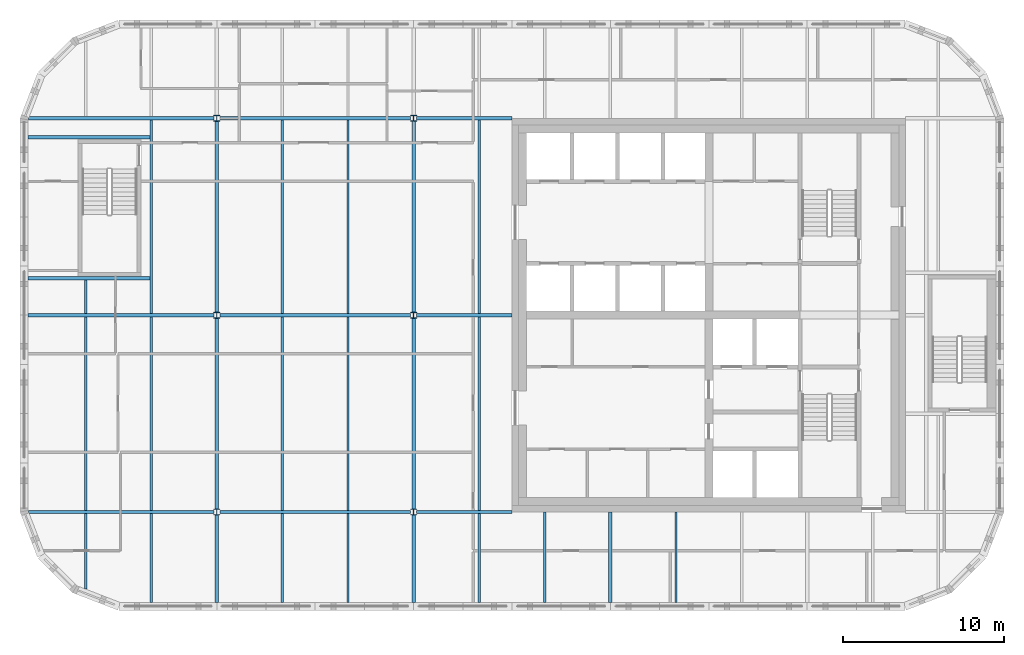
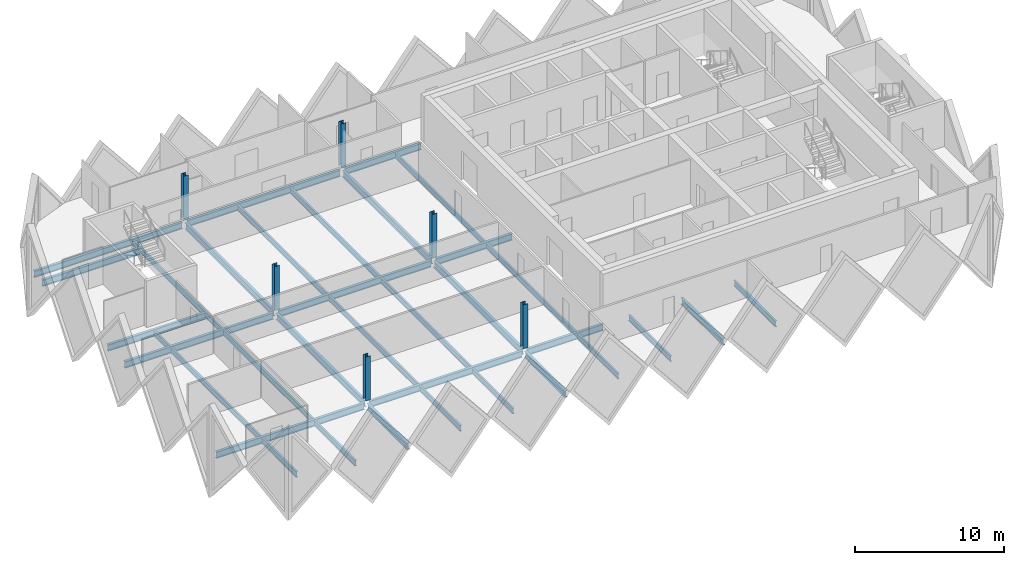
# One storey, part 1 of 11: 35 beams, 6 columns.
"""IFC4 building model written with IfcOpenShell, lengths in metres."""

from ifc_helpers import new_model, si_unit, direction, frame, origin, origin_2d, place, context, subcontext, project, spatial, i_section, extrude, material, material_profile, profile_set, type_object, element, save


model = new_model("IFC4")

# Units and contexts
model_context = context("Model", 3, precision=1e-05, world=origin(), true_north=direction((0.0, 1.0)))
body_context = subcontext(model_context, "Body", "Model", "MODEL_VIEW")
ifc_project = project(units=[si_unit("LENGTHUNIT", "METRE"), si_unit("AREAUNIT", "SQUARE_METRE"), si_unit("VOLUMEUNIT", "CUBIC_METRE"), si_unit("PLANEANGLEUNIT", "RADIAN"), si_unit("MASSUNIT", "GRAM", prefix="KILO")], contexts=[model_context])

# Site, building, storey
site_placement = place(None, origin())
site = spatial("IfcSite", under=ifc_project, at=site_placement, CompositionType="ELEMENT")
building_placement = place(site_placement, origin())
building = spatial("IfcBuilding", under=site, at=building_placement, Name="Tessera Gate Towers", CompositionType="ELEMENT")
storey_placement = place(building_placement, frame((0.0, 0.0, 240.699951171875)))
storey = spatial("IfcBuildingStorey", under=building, at=storey_placement, Name="L60", CompositionType="ELEMENT", Elevation=240.699951171875)

# Columns
ifc_material_1 = material(Name="Steel 350W", Category="steel")
ifc_material_profile_1 = material_profile(ifc_material_1, i_section(OverallWidth=0.373046875, OverallDepth=0.367919921875, WebThickness=0.014892578125, FlangeThickness=0.02392578125, at=origin_2d()), Name="W360x179")
ifc_profile_set_1 = profile_set([ifc_material_profile_1], Name="Steel 350W")
column_type = type_object("IfcColumnType", Name="STEEL COLUMN W360x179", PredefinedType="COLUMN", material=ifc_profile_set_1)
for number, where, z_axis, x_axis, name in (
    (1, (12.199951171875, 24.39990234375, 0.0), (0.0, 0.0, 1.0), (1.0, 0.0, 0.0), "T1-COL-2C-L60"),
    (2, (12.199951171875, 36.60009765625, 0.0), (0.0, 0.0, 1.0), (1.0, 0.0, 0.0), "T1-COL-2D-L60"),
    (3, (12.199951171875, 48.800048828125, 0.0), (0.0, 0.0, 1.0), (1.0, 0.0, 0.0), "T1-COL-2E-L60"),
    (4, (24.39990234375, 24.39990234375, 0.0), (0.0, 0.0, 1.0), (1.0, 0.0, 0.0), "T1-COL-3C-L60"),
    (5, (24.39990234375, 36.60009765625, 0.0), (0.0, 0.0, 1.0), (1.0, 0.0, 0.0), "T1-COL-3D-L60"),
    (6, (24.39990234375, 48.800048828125, 0.0), (0.0, 0.0, 1.0), (1.0, 0.0, 0.0), "T1-COL-3E-L60"),
):
    element("IfcColumn", number, at=place(storey_placement, frame(where, z_axis=z_axis, x_axis=x_axis)), inside=storey, type_object=column_type, Name=name, PredefinedType="COLUMN", context=body_context, shape_type="SweptSolid", body=[
        extrude(i_section(OverallWidth=0.373046875, OverallDepth=0.367919921875, WebThickness=0.014892578125, FlangeThickness=0.02392578125, at=origin_2d()), origin(), (0.0, 0.0, 1.0), 3.60009765625),
    ])

# Beams
ifc_material_2 = material(Name="Steel 350W", Category="steel")
ifc_material_profile_2 = material_profile(ifc_material_2, i_section(OverallWidth=0.208984375, OverallDepth=0.532958984375, WebThickness=0.01025390625, FlangeThickness=0.015625, at=origin_2d()), Name="W530x92")
ifc_profile_set_2 = profile_set([ifc_material_profile_2], Name="Steel 350W")
beam_type_1 = type_object("IfcBeamType", Name="FLOOR GIRDER W530x92", PredefinedType="BEAM", material=ifc_profile_set_2)
beam_1_placement = place(storey_placement, frame((0.534912109375, 24.39990234375, -0.466552734375), z_axis=(1.0, 0.0, 0.0), x_axis=(0.0, 1.0, 0.0)))
element("IfcBeam", 7, at=beam_1_placement, inside=storey, type_object=beam_type_1, Name="T1-GD-L60-6003", PredefinedType="BEAM", context=body_context, shape_type="SweptSolid", body=[
    extrude(i_section(OverallWidth=0.208984375, OverallDepth=0.532958984375, WebThickness=0.01025390625, FlangeThickness=0.015625, at=origin_2d()), origin(), (0.0, 0.0, 1.0), 11.478515625),
])
beam_2_placement = place(storey_placement, frame((12.386474609375, 24.39990234375, -0.466552734375), z_axis=(1.0, 0.0, 0.0), x_axis=(0.0, 1.0, 0.0)))
element("IfcBeam", 8, at=beam_2_placement, inside=storey, type_object=beam_type_1, Name="T1-GD-L60-6004", PredefinedType="BEAM", context=body_context, shape_type="SweptSolid", body=[
    extrude(i_section(OverallWidth=0.208984375, OverallDepth=0.532958984375, WebThickness=0.01025390625, FlangeThickness=0.015625, at=origin_2d()), origin(), (0.0, 0.0, 1.0), 11.826904296875),
])
beam_3_placement = place(storey_placement, frame((24.58642578125, 24.39990234375, -0.466552734375), z_axis=(1.0, 0.0, 0.0), x_axis=(0.0, 1.0, 0.0)))
element("IfcBeam", 9, at=beam_3_placement, inside=storey, type_object=beam_type_1, Name="T1-GD-L60-6005", PredefinedType="BEAM", context=body_context, shape_type="SweptSolid", body=[
    extrude(i_section(OverallWidth=0.208984375, OverallDepth=0.532958984375, WebThickness=0.01025390625, FlangeThickness=0.015625, at=origin_2d()), origin(), (0.0, 0.0, 1.0), 5.91259765625),
])
beam_4_placement = place(storey_placement, frame((0.4990234375, 36.60009765625, -0.466552734375), z_axis=(1.0, 0.0, 0.0), x_axis=(0.0, 1.0, 0.0)))
element("IfcBeam", 10, at=beam_4_placement, inside=storey, type_object=beam_type_1, Name="T1-GD-L60-6007", PredefinedType="BEAM", context=body_context, shape_type="SweptSolid", body=[
    extrude(i_section(OverallWidth=0.208984375, OverallDepth=0.532958984375, WebThickness=0.01025390625, FlangeThickness=0.015625, at=origin_2d()), origin(), (0.0, 0.0, 1.0), 11.514404296875),
])
beam_5_placement = place(storey_placement, frame((12.386474609375, 36.60009765625, -0.466552734375), z_axis=(1.0, 0.0, 0.0), x_axis=(0.0, 1.0, 0.0)))
element("IfcBeam", 11, at=beam_5_placement, inside=storey, type_object=beam_type_1, Name="T1-GD-L60-6008", PredefinedType="BEAM", context=body_context, shape_type="SweptSolid", body=[
    extrude(i_section(OverallWidth=0.208984375, OverallDepth=0.532958984375, WebThickness=0.01025390625, FlangeThickness=0.015625, at=origin_2d()), origin(), (0.0, 0.0, 1.0), 11.826904296875),
])
beam_6_placement = place(storey_placement, frame((24.58642578125, 36.60009765625, -0.466552734375), z_axis=(1.0, 0.0, 0.0), x_axis=(0.0, 1.0, 0.0)))
element("IfcBeam", 12, at=beam_6_placement, inside=storey, type_object=beam_type_1, Name="T1-GD-L60-6009", PredefinedType="BEAM", context=body_context, shape_type="SweptSolid", body=[
    extrude(i_section(OverallWidth=0.208984375, OverallDepth=0.532958984375, WebThickness=0.01025390625, FlangeThickness=0.015625, at=origin_2d()), origin(), (0.0, 0.0, 1.0), 5.91455078125),
])
beam_7_placement = place(storey_placement, frame((0.534912109375, 48.800048828125, -0.466552734375), z_axis=(1.0, 0.0, 0.0), x_axis=(0.0, 1.0, 0.0)))
element("IfcBeam", 13, at=beam_7_placement, inside=storey, type_object=beam_type_1, Name="T1-GD-L60-6011", PredefinedType="BEAM", context=body_context, shape_type="SweptSolid", body=[
    extrude(i_section(OverallWidth=0.208984375, OverallDepth=0.532958984375, WebThickness=0.01025390625, FlangeThickness=0.015625, at=origin_2d()), origin(), (0.0, 0.0, 1.0), 11.478515625),
])
beam_8_placement = place(storey_placement, frame((12.386474609375, 48.800048828125, -0.466552734375), z_axis=(1.0, 0.0, 0.0), x_axis=(0.0, 1.0, 0.0)))
element("IfcBeam", 14, at=beam_8_placement, inside=storey, type_object=beam_type_1, Name="T1-GD-L60-6012", PredefinedType="BEAM", context=body_context, shape_type="SweptSolid", body=[
    extrude(i_section(OverallWidth=0.208984375, OverallDepth=0.532958984375, WebThickness=0.01025390625, FlangeThickness=0.015625, at=origin_2d()), origin(), (0.0, 0.0, 1.0), 11.826904296875),
])
beam_9_placement = place(storey_placement, frame((24.58642578125, 48.800048828125, -0.466552734375), z_axis=(1.0, 0.0, 0.0), x_axis=(0.0, 1.0, 0.0)))
element("IfcBeam", 15, at=beam_9_placement, inside=storey, type_object=beam_type_1, Name="T1-GD-L60-6013", PredefinedType="BEAM", context=body_context, shape_type="SweptSolid", body=[
    extrude(i_section(OverallWidth=0.208984375, OverallDepth=0.532958984375, WebThickness=0.01025390625, FlangeThickness=0.015625, at=origin_2d()), origin(), (0.0, 0.0, 1.0), 5.91259765625),
])
beam_10_placement = place(storey_placement, frame((12.199951171875, 18.799072265625, -0.466552734375), z_axis=(0.0, 1.0, 0.0), x_axis=(-1.0, 0.0, 0.0)))
element("IfcBeam", 16, at=beam_10_placement, inside=storey, type_object=beam_type_1, Name="T1-GD-L60-6015", PredefinedType="BEAM", context=body_context, shape_type="SweptSolid", body=[
    extrude(i_section(OverallWidth=0.208984375, OverallDepth=0.532958984375, WebThickness=0.01025390625, FlangeThickness=0.015625, at=origin_2d()), origin(), (0.0, 0.0, 1.0), 5.414306640625),
])
beam_11_placement = place(storey_placement, frame((12.199951171875, 24.58642578125, -0.466552734375), z_axis=(0.0, 1.0, 0.0), x_axis=(-1.0, 0.0, 0.0)))
element("IfcBeam", 17, at=beam_11_placement, inside=storey, type_object=beam_type_1, Name="T1-GD-L60-6016", PredefinedType="BEAM", context=body_context, shape_type="SweptSolid", body=[
    extrude(i_section(OverallWidth=0.208984375, OverallDepth=0.532958984375, WebThickness=0.01025390625, FlangeThickness=0.015625, at=origin_2d()), origin(), (0.0, 0.0, 1.0), 11.8271484375),
])
beam_12_placement = place(storey_placement, frame((12.199951171875, 36.78662109375, -0.466552734375), z_axis=(0.0, 1.0, 0.0), x_axis=(-1.0, 0.0, 0.0)))
element("IfcBeam", 18, at=beam_12_placement, inside=storey, type_object=beam_type_1, Name="T1-GD-L60-6017", PredefinedType="BEAM", context=body_context, shape_type="SweptSolid", body=[
    extrude(i_section(OverallWidth=0.208984375, OverallDepth=0.532958984375, WebThickness=0.01025390625, FlangeThickness=0.015625, at=origin_2d()), origin(), (0.0, 0.0, 1.0), 11.826904296875),
])
beam_13_placement = place(storey_placement, frame((24.39990234375, 18.799072265625, -0.466552734375), z_axis=(0.0, 1.0, 0.0), x_axis=(-1.0, 0.0, 0.0)))
element("IfcBeam", 19, at=beam_13_placement, inside=storey, type_object=beam_type_1, Name="T1-GD-L60-6019", PredefinedType="BEAM", context=body_context, shape_type="SweptSolid", body=[
    extrude(i_section(OverallWidth=0.208984375, OverallDepth=0.532958984375, WebThickness=0.01025390625, FlangeThickness=0.015625, at=origin_2d()), origin(), (0.0, 0.0, 1.0), 5.414306640625),
])
beam_14_placement = place(storey_placement, frame((24.39990234375, 24.58642578125, -0.466552734375), z_axis=(0.0, 1.0, 0.0), x_axis=(-1.0, 0.0, 0.0)))
element("IfcBeam", 20, at=beam_14_placement, inside=storey, type_object=beam_type_1, Name="T1-GD-L60-6020", PredefinedType="BEAM", context=body_context, shape_type="SweptSolid", body=[
    extrude(i_section(OverallWidth=0.208984375, OverallDepth=0.532958984375, WebThickness=0.01025390625, FlangeThickness=0.015625, at=origin_2d()), origin(), (0.0, 0.0, 1.0), 11.8271484375),
])
beam_15_placement = place(storey_placement, frame((24.39990234375, 36.78662109375, -0.466552734375), z_axis=(0.0, 1.0, 0.0), x_axis=(-1.0, 0.0, 0.0)))
element("IfcBeam", 21, at=beam_15_placement, inside=storey, type_object=beam_type_1, Name="T1-GD-L60-6021", PredefinedType="BEAM", context=body_context, shape_type="SweptSolid", body=[
    extrude(i_section(OverallWidth=0.208984375, OverallDepth=0.532958984375, WebThickness=0.01025390625, FlangeThickness=0.015625, at=origin_2d()), origin(), (0.0, 0.0, 1.0), 11.826904296875),
])
beam_16_placement = place(storey_placement, frame((36.60009765625, 18.799072265625, -0.466552734375), z_axis=(0.0, 1.0, 0.0), x_axis=(-1.0, 0.0, 0.0)))
element("IfcBeam", 22, at=beam_16_placement, inside=storey, type_object=beam_type_1, Name="T1-GD-L60-6023", PredefinedType="BEAM", context=body_context, shape_type="SweptSolid", body=[
    extrude(i_section(OverallWidth=0.208984375, OverallDepth=0.532958984375, WebThickness=0.01025390625, FlangeThickness=0.015625, at=origin_2d()), origin(), (0.0, 0.0, 1.0), 5.600830078125),
])
for number, where, z_axis, x_axis, name in (
    (23, (0.4990234375, 38.8798828125, -0.466552734375), (1.0, 0.0, 0.0), (0.0, 1.0, 0.0), "T1-GD-L60-6025"),
    (24, (0.4990234375, 47.6201171875, -0.466552734375), (1.0, 0.0, 0.0), (0.0, 1.0, 0.0), "T1-GD-L60-6026"),
):
    element("IfcBeam", number, at=place(storey_placement, frame(where, z_axis=z_axis, x_axis=x_axis)), inside=storey, type_object=beam_type_1, Name=name, PredefinedType="BEAM", context=body_context, shape_type="SweptSolid", body=[
        extrude(i_section(OverallWidth=0.208984375, OverallDepth=0.532958984375, WebThickness=0.01025390625, FlangeThickness=0.015625, at=origin_2d()), origin(), (0.0, 0.0, 1.0), 7.557861328125),
    ])
ifc_material_3 = material(Name="Steel 350W", Category="steel")
ifc_material_profile_3 = material_profile(ifc_material_3, i_section(OverallWidth=0.153076171875, OverallDepth=0.455078125, WebThickness=0.008056640625, FlangeThickness=0.01318359375, at=origin_2d()), Name="W460x60")
ifc_profile_set_3 = profile_set([ifc_material_profile_3], Name="Steel 350W")
beam_type_2 = type_object("IfcBeamType", Name="FLOOR SECONDARY W460x60", PredefinedType="BEAM", material=ifc_profile_set_3)
beam_17_placement = place(storey_placement, frame((4.066650390625, 19.620361328125, -0.427490234375), z_axis=(0.0, 1.0, 0.0), x_axis=(-1.0, 0.0, 0.0)))
element("IfcBeam", 25, at=beam_17_placement, inside=storey, type_object=beam_type_2, Name="T1-BM-L60-6030", PredefinedType="BEAM", context=body_context, shape_type="SweptSolid", body=[
    extrude(i_section(OverallWidth=0.153076171875, OverallDepth=0.455078125, WebThickness=0.008056640625, FlangeThickness=0.01318359375, at=origin_2d()), origin(), (0.0, 0.0, 1.0), 4.675048828125),
])
beam_18_placement = place(storey_placement, frame((4.066650390625, 24.50439453125, -0.427490234375), z_axis=(0.0, 1.0, 0.0), x_axis=(-1.0, 0.0, 0.0)))
element("IfcBeam", 26, at=beam_18_placement, inside=storey, type_object=beam_type_2, Name="T1-BM-L60-6031", PredefinedType="BEAM", context=body_context, shape_type="SweptSolid", body=[
    extrude(i_section(OverallWidth=0.153076171875, OverallDepth=0.455078125, WebThickness=0.008056640625, FlangeThickness=0.01318359375, at=origin_2d()), origin(), (0.0, 0.0, 1.0), 11.9912109375),
])
beam_19_placement = place(storey_placement, frame((4.066650390625, 36.70458984375, -0.427490234375), z_axis=(0.0, 1.0, 0.0), x_axis=(-1.0, 0.0, 0.0)))
element("IfcBeam", 27, at=beam_19_placement, inside=storey, type_object=beam_type_2, Name="T1-BM-L60-6032", PredefinedType="BEAM", context=body_context, shape_type="SweptSolid", body=[
    extrude(i_section(OverallWidth=0.153076171875, OverallDepth=0.455078125, WebThickness=0.008056640625, FlangeThickness=0.01318359375, at=origin_2d()), origin(), (0.0, 0.0, 1.0), 2.07080078125),
])
beam_20_placement = place(storey_placement, frame((8.13330078125, 18.800048828125, -0.427490234375), z_axis=(0.0, 1.0, 0.0), x_axis=(-1.0, 0.0, 0.0)))
element("IfcBeam", 28, at=beam_20_placement, inside=storey, type_object=beam_type_2, Name="T1-BM-L60-6034", PredefinedType="BEAM", context=body_context, shape_type="SweptSolid", body=[
    extrude(i_section(OverallWidth=0.153076171875, OverallDepth=0.455078125, WebThickness=0.008056640625, FlangeThickness=0.01318359375, at=origin_2d()), origin(), (0.0, 0.0, 1.0), 5.495361328125),
])
beam_21_placement = place(storey_placement, frame((8.13330078125, 24.50439453125, -0.427490234375), z_axis=(0.0, 1.0, 0.0), x_axis=(-1.0, 0.0, 0.0)))
element("IfcBeam", 29, at=beam_21_placement, inside=storey, type_object=beam_type_2, Name="T1-BM-L60-6035", PredefinedType="BEAM", context=body_context, shape_type="SweptSolid", body=[
    extrude(i_section(OverallWidth=0.153076171875, OverallDepth=0.455078125, WebThickness=0.008056640625, FlangeThickness=0.01318359375, at=origin_2d()), origin(), (0.0, 0.0, 1.0), 11.9912109375),
])
beam_22_placement = place(storey_placement, frame((8.13330078125, 36.70458984375, -0.427490234375), z_axis=(0.0, 1.0, 0.0), x_axis=(-1.0, 0.0, 0.0)))
element("IfcBeam", 30, at=beam_22_placement, inside=storey, type_object=beam_type_2, Name="T1-BM-L60-6036", PredefinedType="BEAM", context=body_context, shape_type="SweptSolid", body=[
    extrude(i_section(OverallWidth=0.153076171875, OverallDepth=0.455078125, WebThickness=0.008056640625, FlangeThickness=0.01318359375, at=origin_2d()), origin(), (0.0, 0.0, 1.0), 11.990966796875),
])
beam_23_placement = place(storey_placement, frame((16.2666015625, 18.800048828125, -0.427490234375), z_axis=(0.0, 1.0, 0.0), x_axis=(-1.0, 0.0, 0.0)))
element("IfcBeam", 31, at=beam_23_placement, inside=storey, type_object=beam_type_2, Name="T1-BM-L60-6038", PredefinedType="BEAM", context=body_context, shape_type="SweptSolid", body=[
    extrude(i_section(OverallWidth=0.153076171875, OverallDepth=0.455078125, WebThickness=0.008056640625, FlangeThickness=0.01318359375, at=origin_2d()), origin(), (0.0, 0.0, 1.0), 5.495361328125),
])
beam_24_placement = place(storey_placement, frame((16.2666015625, 24.50439453125, -0.427490234375), z_axis=(0.0, 1.0, 0.0), x_axis=(-1.0, 0.0, 0.0)))
element("IfcBeam", 32, at=beam_24_placement, inside=storey, type_object=beam_type_2, Name="T1-BM-L60-6039", PredefinedType="BEAM", context=body_context, shape_type="SweptSolid", body=[
    extrude(i_section(OverallWidth=0.153076171875, OverallDepth=0.455078125, WebThickness=0.008056640625, FlangeThickness=0.01318359375, at=origin_2d()), origin(), (0.0, 0.0, 1.0), 11.9912109375),
])
beam_25_placement = place(storey_placement, frame((16.2666015625, 36.70458984375, -0.427490234375), z_axis=(0.0, 1.0, 0.0), x_axis=(-1.0, 0.0, 0.0)))
element("IfcBeam", 33, at=beam_25_placement, inside=storey, type_object=beam_type_2, Name="T1-BM-L60-6040", PredefinedType="BEAM", context=body_context, shape_type="SweptSolid", body=[
    extrude(i_section(OverallWidth=0.153076171875, OverallDepth=0.455078125, WebThickness=0.008056640625, FlangeThickness=0.01318359375, at=origin_2d()), origin(), (0.0, 0.0, 1.0), 11.990966796875),
])
beam_26_placement = place(storey_placement, frame((20.333251953125, 18.800048828125, -0.427490234375), z_axis=(0.0, 1.0, 0.0), x_axis=(-1.0, 0.0, 0.0)))
element("IfcBeam", 34, at=beam_26_placement, inside=storey, type_object=beam_type_2, Name="T1-BM-L60-6042", PredefinedType="BEAM", context=body_context, shape_type="SweptSolid", body=[
    extrude(i_section(OverallWidth=0.153076171875, OverallDepth=0.455078125, WebThickness=0.008056640625, FlangeThickness=0.01318359375, at=origin_2d()), origin(), (0.0, 0.0, 1.0), 5.495361328125),
])
beam_27_placement = place(storey_placement, frame((20.333251953125, 24.50439453125, -0.427490234375), z_axis=(0.0, 1.0, 0.0), x_axis=(-1.0, 0.0, 0.0)))
element("IfcBeam", 35, at=beam_27_placement, inside=storey, type_object=beam_type_2, Name="T1-BM-L60-6043", PredefinedType="BEAM", context=body_context, shape_type="SweptSolid", body=[
    extrude(i_section(OverallWidth=0.153076171875, OverallDepth=0.455078125, WebThickness=0.008056640625, FlangeThickness=0.01318359375, at=origin_2d()), origin(), (0.0, 0.0, 1.0), 11.9912109375),
])
beam_28_placement = place(storey_placement, frame((20.333251953125, 36.70458984375, -0.427490234375), z_axis=(0.0, 1.0, 0.0), x_axis=(-1.0, 0.0, 0.0)))
element("IfcBeam", 36, at=beam_28_placement, inside=storey, type_object=beam_type_2, Name="T1-BM-L60-6044", PredefinedType="BEAM", context=body_context, shape_type="SweptSolid", body=[
    extrude(i_section(OverallWidth=0.153076171875, OverallDepth=0.455078125, WebThickness=0.008056640625, FlangeThickness=0.01318359375, at=origin_2d()), origin(), (0.0, 0.0, 1.0), 11.990966796875),
])
beam_29_placement = place(storey_placement, frame((28.466796875, 18.800048828125, -0.427490234375), z_axis=(0.0, 1.0, 0.0), x_axis=(-1.0, 0.0, 0.0)))
element("IfcBeam", 37, at=beam_29_placement, inside=storey, type_object=beam_type_2, Name="T1-BM-L60-6046", PredefinedType="BEAM", context=body_context, shape_type="SweptSolid", body=[
    extrude(i_section(OverallWidth=0.153076171875, OverallDepth=0.455078125, WebThickness=0.008056640625, FlangeThickness=0.01318359375, at=origin_2d()), origin(), (0.0, 0.0, 1.0), 5.495361328125),
])
beam_30_placement = place(storey_placement, frame((28.466796875, 24.50439453125, -0.427490234375), z_axis=(0.0, 1.0, 0.0), x_axis=(-1.0, 0.0, 0.0)))
element("IfcBeam", 38, at=beam_30_placement, inside=storey, type_object=beam_type_2, Name="T1-BM-L60-6047", PredefinedType="BEAM", context=body_context, shape_type="SweptSolid", body=[
    extrude(i_section(OverallWidth=0.153076171875, OverallDepth=0.455078125, WebThickness=0.008056640625, FlangeThickness=0.01318359375, at=origin_2d()), origin(), (0.0, 0.0, 1.0), 11.9912109375),
])
beam_31_placement = place(storey_placement, frame((28.466796875, 36.70458984375, -0.427490234375), z_axis=(0.0, 1.0, 0.0), x_axis=(-1.0, 0.0, 0.0)))
element("IfcBeam", 39, at=beam_31_placement, inside=storey, type_object=beam_type_2, Name="T1-BM-L60-6048", PredefinedType="BEAM", context=body_context, shape_type="SweptSolid", body=[
    extrude(i_section(OverallWidth=0.153076171875, OverallDepth=0.455078125, WebThickness=0.008056640625, FlangeThickness=0.01318359375, at=origin_2d()), origin(), (0.0, 0.0, 1.0), 11.990966796875),
])
for number, where, z_axis, x_axis, name in (
    (40, (32.533203125, 18.800048828125, -0.427490234375), (0.0, 1.0, 0.0), (-1.0, 0.0, 0.0), "T1-BM-L60-6050"),
    (41, (40.666748046875, 18.800048828125, -0.427490234375), (0.0, 1.0, 0.0), (-1.0, 0.0, 0.0), "T1-BM-L60-6053"),
):
    element("IfcBeam", number, at=place(storey_placement, frame(where, z_axis=z_axis, x_axis=x_axis)), inside=storey, type_object=beam_type_2, Name=name, PredefinedType="BEAM", context=body_context, shape_type="SweptSolid", body=[
        extrude(i_section(OverallWidth=0.153076171875, OverallDepth=0.455078125, WebThickness=0.008056640625, FlangeThickness=0.01318359375, at=origin_2d()), origin(), (0.0, 0.0, 1.0), 5.599853515625),
    ])

save(model, "model.ifc")
